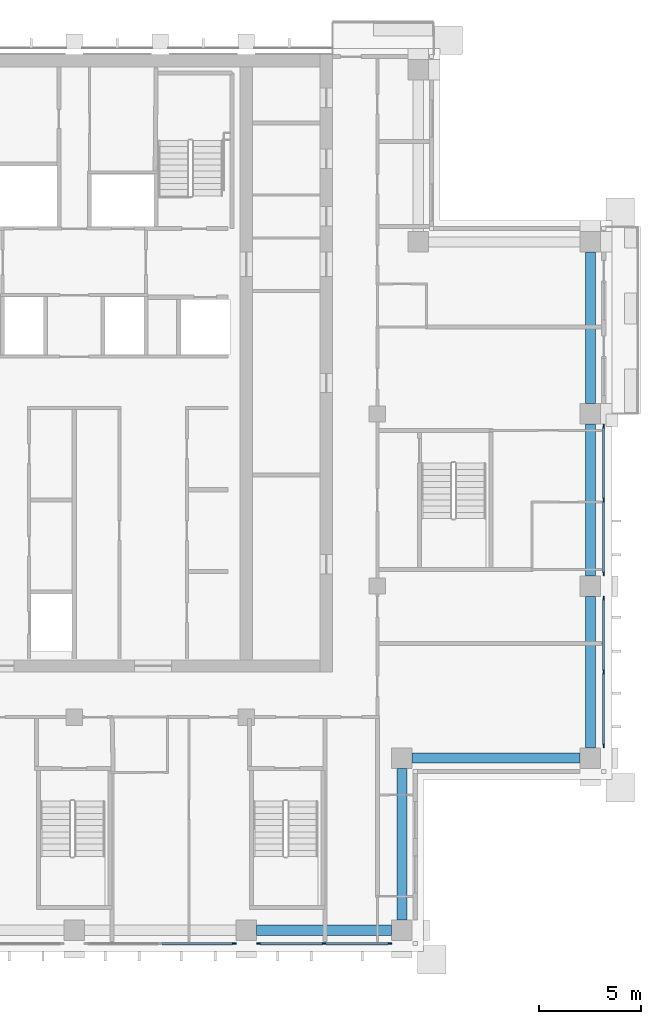
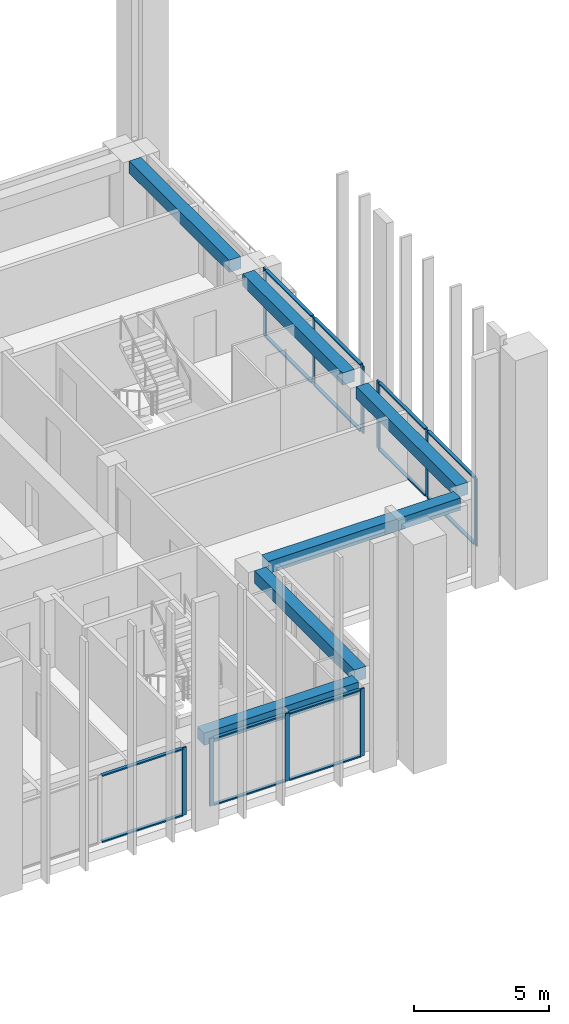
# One storey, part 5 of 17: 24 members, 6 beams, 4 elements without a shape of their own.
"""IFC4 building model written with IfcOpenShell, lengths in metres."""

from ifc_helpers import new_model, si_unit, direction, frame, origin, origin_2d, place, context, subcontext, project, spatial, rectangle, extrude, material, material_profile, profile_set, type_object, element, aggregate, save


model = new_model("IFC4")

# Units and contexts
model_context = context("Model", 3, precision=1e-05, world=origin(), true_north=direction((0.0, 1.0)))
body_context = subcontext(model_context, "Body", "Model", "MODEL_VIEW")
ifc_project = project(units=[si_unit("LENGTHUNIT", "METRE"), si_unit("AREAUNIT", "SQUARE_METRE"), si_unit("VOLUMEUNIT", "CUBIC_METRE"), si_unit("PLANEANGLEUNIT", "RADIAN"), si_unit("MASSUNIT", "GRAM", prefix="KILO")], contexts=[model_context])

# Site, building, storey
site_placement = place(None, origin())
site = spatial("IfcSite", under=ifc_project, at=site_placement, CompositionType="ELEMENT")
building_placement = place(site_placement, origin())
building = spatial("IfcBuilding", under=site, at=building_placement, Name="Vermilion Ogive Tower", CompositionType="ELEMENT")
storey_placement = place(building_placement, frame((0.0, 0.0, 175.550048828125)))
storey = spatial("IfcBuildingStorey", under=building, at=storey_placement, Name="L45", CompositionType="ELEMENT", Elevation=175.550048828125)

# Curtain wall, member
ifc_material_1 = material(Name="Low-iron laminated glazing in aluminium frame", Category="aluminium")
curtain_wall_type = type_object("IfcCurtainWallType", Name="Curtain wall CW7", PredefinedType="NOTDEFINED", material=ifc_material_1)
curtain_wall_1_placement = place(storey_placement, origin())
curtain_wall_1 = element("IfcCurtainWall", 1, at=curtain_wall_1_placement, inside=storey, type_object=curtain_wall_type, Name="Glazed skin S3", PredefinedType="NOTDEFINED")
ifc_material_2 = material(Name="Aluminium mullion", Category="aluminium")
ifc_material_profile_1 = material_profile(ifc_material_2, rectangle(XDim=0.06005859375, YDim=0.179931640625, at=origin_2d()), Name="AL 60x180")
ifc_profile_set_1 = profile_set([ifc_material_profile_1], Name="Aluminium mullion")
member_type_1 = type_object("IfcMemberType", Name="CW7 mullion 60x180", PredefinedType="MULLION", material=ifc_profile_set_1)
member_1_placement = place(storey_placement, frame((7.81005859375, -21.64990234375, 0.0), z_axis=(0.0, 0.0, 1.0), x_axis=(0.0, 1.0, 0.0)))
member_1 = element("IfcMember", 2, at=member_1_placement, type_object=member_type_1, Name="CW7-S3 mullion 3", PredefinedType="MULLION", context=body_context, shape_type="SweptSolid", body=[
    extrude(rectangle(XDim=0.06005859375, YDim=0.179931640625, at=origin_2d()), origin(), (0.0, 0.0, 1.0), 3.050048828125),
])

# Curtain wall, members
curtain_wall_2_placement = place(storey_placement, origin())
curtain_wall_2 = element("IfcCurtainWall", 3, at=curtain_wall_2_placement, inside=storey, type_object=curtain_wall_type, Name="Glazed skin S4", PredefinedType="NOTDEFINED")
member_2_placement = place(storey_placement, frame((8.989990234375, -21.64990234375, 0.0), z_axis=(0.0, 0.0, 1.0), x_axis=(0.0, 1.0, 0.0)))
member_2 = element("IfcMember", 4, at=member_2_placement, type_object=member_type_1, Name="CW7-S4 mullion 1", PredefinedType="MULLION", context=body_context, shape_type="SweptSolid", body=[
    extrude(rectangle(XDim=0.06005859375, YDim=0.179931640625, at=origin_2d()), origin(), (0.0, 0.0, 1.0), 3.050048828125),
])
member_3_placement = place(storey_placement, frame((12.199951171875, -21.64990234375, 0.0), z_axis=(0.0, 0.0, 1.0), x_axis=(0.0, 1.0, 0.0)))
member_3 = element("IfcMember", 5, at=member_3_placement, type_object=member_type_1, Name="CW7-S4 mullion 2", PredefinedType="MULLION", context=body_context, shape_type="SweptSolid", body=[
    extrude(rectangle(XDim=0.06005859375, YDim=0.179931640625, at=origin_2d()), origin(), (0.0, 0.0, 1.0), 3.050048828125),
])
member_4_placement = place(storey_placement, frame((15.409912109375, -21.64990234375, 0.0), z_axis=(0.0, 0.0, 1.0), x_axis=(0.0, 1.0, 0.0)))
member_4 = element("IfcMember", 6, at=member_4_placement, type_object=member_type_1, Name="CW7-S4 mullion 3", PredefinedType="MULLION", context=body_context, shape_type="SweptSolid", body=[
    extrude(rectangle(XDim=0.06005859375, YDim=0.179931640625, at=origin_2d()), origin(), (0.0, 0.0, 1.0), 3.050048828125),
])

curtain_wall_3_placement = place(storey_placement, origin())
curtain_wall_3 = element("IfcCurtainWall", 7, at=curtain_wall_3_placement, inside=storey, type_object=curtain_wall_type, Name="Glazed skin E1", PredefinedType="NOTDEFINED")
member_5_placement = place(storey_placement, frame((25.85009765625, -12.010009765625, 0.0), z_axis=(0.0, 0.0, 1.0), x_axis=(-1.0, 0.0, 0.0)))
member_5 = element("IfcMember", 8, at=member_5_placement, type_object=member_type_1, Name="CW7-E1 mullion 1", PredefinedType="MULLION", context=body_context, shape_type="SweptSolid", body=[
    extrude(rectangle(XDim=0.06005859375, YDim=0.179931640625, at=origin_2d()), origin(), (0.0, 0.0, 1.0), 3.050048828125),
])
member_6_placement = place(storey_placement, frame((25.85009765625, -8.39990234375, 0.0), z_axis=(0.0, 0.0, 1.0), x_axis=(-1.0, 0.0, 0.0)))
member_6 = element("IfcMember", 9, at=member_6_placement, type_object=member_type_1, Name="CW7-E1 mullion 2", PredefinedType="MULLION", context=body_context, shape_type="SweptSolid", body=[
    extrude(rectangle(XDim=0.06005859375, YDim=0.179931640625, at=origin_2d()), origin(), (0.0, 0.0, 1.0), 3.050048828125),
])
member_7_placement = place(storey_placement, frame((25.85009765625, -4.7900390625, 0.0), z_axis=(0.0, 0.0, 1.0), x_axis=(-1.0, 0.0, 0.0)))
member_7 = element("IfcMember", 10, at=member_7_placement, type_object=member_type_1, Name="CW7-E1 mullion 3", PredefinedType="MULLION", context=body_context, shape_type="SweptSolid", body=[
    extrude(rectangle(XDim=0.06005859375, YDim=0.179931640625, at=origin_2d()), origin(), (0.0, 0.0, 1.0), 3.050048828125),
])

curtain_wall_4_placement = place(storey_placement, origin())
curtain_wall_4 = element("IfcCurtainWall", 11, at=curtain_wall_4_placement, inside=storey, type_object=curtain_wall_type, Name="Glazed skin E2", PredefinedType="NOTDEFINED")
member_8_placement = place(storey_placement, frame((25.85009765625, -3.610107421875, 0.0), z_axis=(0.0, 0.0, 1.0), x_axis=(-1.0, 0.0, 0.0)))
member_8 = element("IfcMember", 12, at=member_8_placement, type_object=member_type_1, Name="CW7-E2 mullion 1", PredefinedType="MULLION", context=body_context, shape_type="SweptSolid", body=[
    extrude(rectangle(XDim=0.06005859375, YDim=0.179931640625, at=origin_2d()), origin(), (0.0, 0.0, 1.0), 3.050048828125),
])
member_9_placement = place(storey_placement, frame((25.85009765625, 0.0, 0.0), z_axis=(0.0, 0.0, 1.0), x_axis=(-1.0, 0.0, 0.0)))
member_9 = element("IfcMember", 13, at=member_9_placement, type_object=member_type_1, Name="CW7-E2 mullion 2", PredefinedType="MULLION", context=body_context, shape_type="SweptSolid", body=[
    extrude(rectangle(XDim=0.06005859375, YDim=0.179931640625, at=origin_2d()), origin(), (0.0, 0.0, 1.0), 3.050048828125),
])
member_10_placement = place(storey_placement, frame((25.85009765625, 3.610107421875, 0.0), z_axis=(0.0, 0.0, 1.0), x_axis=(-1.0, 0.0, 0.0)))
member_10 = element("IfcMember", 14, at=member_10_placement, type_object=member_type_1, Name="CW7-E2 mullion 3", PredefinedType="MULLION", context=body_context, shape_type="SweptSolid", body=[
    extrude(rectangle(XDim=0.06005859375, YDim=0.179931640625, at=origin_2d()), origin(), (0.0, 0.0, 1.0), 3.050048828125),
])

# Member
ifc_material_3 = material(Name="Aluminium transom", Category="aluminium")
ifc_material_profile_2 = material_profile(ifc_material_3, rectangle(XDim=0.139892578125, YDim=0.06005859375, at=origin_2d()), Name="AL 60x140")
ifc_profile_set_2 = profile_set([ifc_material_profile_2], Name="Aluminium transom")
member_type_2 = type_object("IfcMemberType", Name="CW7 transom 60x140", PredefinedType="USERDEFINED", material=ifc_profile_set_2)
member_11_placement = place(storey_placement, frame((4.2900390625, -21.64990234375, 0.030029296875), z_axis=(1.0, 0.0, 0.0), x_axis=(0.0, 1.0, 0.0)))
member_11 = element("IfcMember", 15, at=member_11_placement, type_object=member_type_2, Name="CW7-S3 transom 2.1", ObjectType="TRANSOM", PredefinedType="USERDEFINED", context=body_context, shape_type="SweptSolid", body=[
    extrude(rectangle(XDim=0.139892578125, YDim=0.06005859375, at=origin_2d()), origin(), (0.0, 0.0, 1.0), 3.429931640625),
])

member_12_placement = place(storey_placement, frame((4.2900390625, -21.64990234375, 3.02001953125), z_axis=(1.0, 0.0, 0.0), x_axis=(0.0, 1.0, 0.0)))
member_12 = element("IfcMember", 16, at=member_12_placement, type_object=member_type_2, Name="CW7-S3 transom 2.2", ObjectType="TRANSOM", PredefinedType="USERDEFINED", context=body_context, shape_type="SweptSolid", body=[
    extrude(rectangle(XDim=0.139892578125, YDim=0.06005859375, at=origin_2d()), origin(), (0.0, 0.0, 1.0), 3.429931640625),
])

aggregate(curtain_wall_1, [member_1, member_11, member_12])

member_13_placement = place(storey_placement, frame((9.080078125, -21.64990234375, 0.030029296875), z_axis=(1.0, 0.0, 0.0), x_axis=(0.0, 1.0, 0.0)))
member_13 = element("IfcMember", 17, at=member_13_placement, type_object=member_type_2, Name="CW7-S4 transom 1.1", ObjectType="TRANSOM", PredefinedType="USERDEFINED", context=body_context, shape_type="SweptSolid", body=[
    extrude(rectangle(XDim=0.139892578125, YDim=0.06005859375, at=origin_2d()), origin(), (0.0, 0.0, 1.0), 3.030029296875),
])

member_14_placement = place(storey_placement, frame((9.080078125, -21.64990234375, 3.02001953125), z_axis=(1.0, 0.0, 0.0), x_axis=(0.0, 1.0, 0.0)))
member_14 = element("IfcMember", 18, at=member_14_placement, type_object=member_type_2, Name="CW7-S4 transom 1.2", ObjectType="TRANSOM", PredefinedType="USERDEFINED", context=body_context, shape_type="SweptSolid", body=[
    extrude(rectangle(XDim=0.139892578125, YDim=0.06005859375, at=origin_2d()), origin(), (0.0, 0.0, 1.0), 3.030029296875),
])

member_15_placement = place(storey_placement, frame((12.2900390625, -21.64990234375, 0.030029296875), z_axis=(1.0, 0.0, 0.0), x_axis=(0.0, 1.0, 0.0)))
member_15 = element("IfcMember", 19, at=member_15_placement, type_object=member_type_2, Name="CW7-S4 transom 2.1", ObjectType="TRANSOM", PredefinedType="USERDEFINED", context=body_context, shape_type="SweptSolid", body=[
    extrude(rectangle(XDim=0.139892578125, YDim=0.06005859375, at=origin_2d()), origin(), (0.0, 0.0, 1.0), 3.030029296875),
])

member_16_placement = place(storey_placement, frame((12.2900390625, -21.64990234375, 3.02001953125), z_axis=(1.0, 0.0, 0.0), x_axis=(0.0, 1.0, 0.0)))
member_16 = element("IfcMember", 20, at=member_16_placement, type_object=member_type_2, Name="CW7-S4 transom 2.2", ObjectType="TRANSOM", PredefinedType="USERDEFINED", context=body_context, shape_type="SweptSolid", body=[
    extrude(rectangle(XDim=0.139892578125, YDim=0.06005859375, at=origin_2d()), origin(), (0.0, 0.0, 1.0), 3.030029296875),
])

aggregate(curtain_wall_2, [member_2, member_3, member_4, member_13, member_14, member_15, member_16])

member_17_placement = place(storey_placement, frame((25.85009765625, -11.919921875, 0.030029296875), z_axis=(0.0, 1.0, 0.0), x_axis=(-1.0, 0.0, 0.0)))
member_17 = element("IfcMember", 21, at=member_17_placement, type_object=member_type_2, Name="CW7-E1 transom 1.1", ObjectType="TRANSOM", PredefinedType="USERDEFINED", context=body_context, shape_type="SweptSolid", body=[
    extrude(rectangle(XDim=0.139892578125, YDim=0.06005859375, at=origin_2d()), origin(), (0.0, 0.0, 1.0), 3.429931640625),
])

member_18_placement = place(storey_placement, frame((25.85009765625, -11.919921875, 3.02001953125), z_axis=(0.0, 1.0, 0.0), x_axis=(-1.0, 0.0, 0.0)))
member_18 = element("IfcMember", 22, at=member_18_placement, type_object=member_type_2, Name="CW7-E1 transom 1.2", ObjectType="TRANSOM", PredefinedType="USERDEFINED", context=body_context, shape_type="SweptSolid", body=[
    extrude(rectangle(XDim=0.139892578125, YDim=0.06005859375, at=origin_2d()), origin(), (0.0, 0.0, 1.0), 3.429931640625),
])

member_19_placement = place(storey_placement, frame((25.85009765625, -8.31005859375, 0.030029296875), z_axis=(0.0, 1.0, 0.0), x_axis=(-1.0, 0.0, 0.0)))
member_19 = element("IfcMember", 23, at=member_19_placement, type_object=member_type_2, Name="CW7-E1 transom 2.1", ObjectType="TRANSOM", PredefinedType="USERDEFINED", context=body_context, shape_type="SweptSolid", body=[
    extrude(rectangle(XDim=0.139892578125, YDim=0.06005859375, at=origin_2d()), origin(), (0.0, 0.0, 1.0), 3.43017578125),
])

member_20_placement = place(storey_placement, frame((25.85009765625, -8.31005859375, 3.02001953125), z_axis=(0.0, 1.0, 0.0), x_axis=(-1.0, 0.0, 0.0)))
member_20 = element("IfcMember", 24, at=member_20_placement, type_object=member_type_2, Name="CW7-E1 transom 2.2", ObjectType="TRANSOM", PredefinedType="USERDEFINED", context=body_context, shape_type="SweptSolid", body=[
    extrude(rectangle(XDim=0.139892578125, YDim=0.06005859375, at=origin_2d()), origin(), (0.0, 0.0, 1.0), 3.43017578125),
])

aggregate(curtain_wall_3, [member_5, member_6, member_7, member_17, member_18, member_19, member_20])

member_21_placement = place(storey_placement, frame((25.85009765625, -3.52001953125, 0.030029296875), z_axis=(0.0, 1.0, 0.0), x_axis=(-1.0, 0.0, 0.0)))
member_21 = element("IfcMember", 25, at=member_21_placement, type_object=member_type_2, Name="CW7-E2 transom 1.1", ObjectType="TRANSOM", PredefinedType="USERDEFINED", context=body_context, shape_type="SweptSolid", body=[
    extrude(rectangle(XDim=0.139892578125, YDim=0.06005859375, at=origin_2d()), origin(), (0.0, 0.0, 1.0), 3.429931640625),
])

member_22_placement = place(storey_placement, frame((25.85009765625, -3.52001953125, 3.02001953125), z_axis=(0.0, 1.0, 0.0), x_axis=(-1.0, 0.0, 0.0)))
member_22 = element("IfcMember", 26, at=member_22_placement, type_object=member_type_2, Name="CW7-E2 transom 1.2", ObjectType="TRANSOM", PredefinedType="USERDEFINED", context=body_context, shape_type="SweptSolid", body=[
    extrude(rectangle(XDim=0.139892578125, YDim=0.06005859375, at=origin_2d()), origin(), (0.0, 0.0, 1.0), 3.429931640625),
])

member_23_placement = place(storey_placement, frame((25.85009765625, 0.090087890625, 0.030029296875), z_axis=(0.0, 1.0, 0.0), x_axis=(-1.0, 0.0, 0.0)))
member_23 = element("IfcMember", 27, at=member_23_placement, type_object=member_type_2, Name="CW7-E2 transom 2.1", ObjectType="TRANSOM", PredefinedType="USERDEFINED", context=body_context, shape_type="SweptSolid", body=[
    extrude(rectangle(XDim=0.139892578125, YDim=0.06005859375, at=origin_2d()), origin(), (0.0, 0.0, 1.0), 3.429931640625),
])

member_24_placement = place(storey_placement, frame((25.85009765625, 0.090087890625, 3.02001953125), z_axis=(0.0, 1.0, 0.0), x_axis=(-1.0, 0.0, 0.0)))
member_24 = element("IfcMember", 28, at=member_24_placement, type_object=member_type_2, Name="CW7-E2 transom 2.2", ObjectType="TRANSOM", PredefinedType="USERDEFINED", context=body_context, shape_type="SweptSolid", body=[
    extrude(rectangle(XDim=0.139892578125, YDim=0.06005859375, at=origin_2d()), origin(), (0.0, 0.0, 1.0), 3.429931640625),
])

aggregate(curtain_wall_4, [member_8, member_9, member_10, member_21, member_22, member_23, member_24])

# Beams
ifc_material_4 = material(Name="Concrete B45", Category="concrete")
ifc_material_profile_3 = material_profile(ifc_material_4, rectangle(XDim=0.5, YDim=0.550048828125, at=origin_2d()), Name="500 x 550")
ifc_profile_set_3 = profile_set([ifc_material_profile_3], Name="Concrete B45")
beam_type = type_object("IfcBeamType", Name="Edge beam 500 x 550 B45", PredefinedType="BEAM", material=ifc_profile_set_3)
beam_1_placement = place(storey_placement, frame((8.89990234375, -21.0, 2.77490234375), z_axis=(1.0, 0.0, 0.0), x_axis=(0.0, 1.0, 0.0)))
element("IfcBeam", 29, at=beam_1_placement, inside=storey, type_object=beam_type, Name="L45-EB-4", PredefinedType="BEAM", context=body_context, shape_type="SweptSolid", body=[
    extrude(rectangle(XDim=0.5, YDim=0.550048828125, at=origin_2d()), origin(), (0.0, 0.0, 1.0), 6.60009765625),
])
beam_2_placement = place(storey_placement, frame((16.0, -20.5, 2.77490234375), z_axis=(0.0, 1.0, 0.0), x_axis=(-1.0, 0.0, 0.0)))
element("IfcBeam", 30, at=beam_2_placement, inside=storey, type_object=beam_type, Name="L45-EB-5", PredefinedType="BEAM", context=body_context, shape_type="SweptSolid", body=[
    extrude(rectangle(XDim=0.5, YDim=0.550048828125, at=origin_2d()), origin(), (0.0, 0.0, 1.0), 7.39990234375),
])
beam_3_placement = place(storey_placement, frame((16.5, -12.60009765625, 2.77490234375), z_axis=(1.0, 0.0, 0.0), x_axis=(0.0, 1.0, 0.0)))
element("IfcBeam", 31, at=beam_3_placement, inside=storey, type_object=beam_type, Name="L45-EB-6", PredefinedType="BEAM", context=body_context, shape_type="SweptSolid", body=[
    extrude(rectangle(XDim=0.5, YDim=0.550048828125, at=origin_2d()), origin(), (0.0, 0.0, 1.0), 8.199951171875),
])
beam_4_placement = place(storey_placement, frame((25.199951171875, -12.10009765625, 2.77490234375), z_axis=(0.0, 1.0, 0.0), x_axis=(-1.0, 0.0, 0.0)))
element("IfcBeam", 32, at=beam_4_placement, inside=storey, type_object=beam_type, Name="L45-EB-7", PredefinedType="BEAM", context=body_context, shape_type="SweptSolid", body=[
    extrude(rectangle(XDim=0.5, YDim=0.550048828125, at=origin_2d()), origin(), (0.0, 0.0, 1.0), 7.400146484375),
])
beam_5_placement = place(storey_placement, frame((25.199951171875, -3.699951171875, 2.77490234375), z_axis=(0.0, 1.0, 0.0), x_axis=(-1.0, 0.0, 0.0)))
element("IfcBeam", 33, at=beam_5_placement, inside=storey, type_object=beam_type, Name="L45-EB-8", PredefinedType="BEAM", context=body_context, shape_type="SweptSolid", body=[
    extrude(rectangle(XDim=0.5, YDim=0.550048828125, at=origin_2d()), origin(), (0.0, 0.0, 1.0), 7.39990234375),
])
beam_6_placement = place(storey_placement, frame((25.199951171875, 4.699951171875, 2.77490234375), z_axis=(0.0, 1.0, 0.0), x_axis=(-1.0, 0.0, 0.0)))
element("IfcBeam", 34, at=beam_6_placement, inside=storey, type_object=beam_type, Name="L45-EB-9", PredefinedType="BEAM", context=body_context, shape_type="SweptSolid", body=[
    extrude(rectangle(XDim=0.5, YDim=0.550048828125, at=origin_2d()), origin(), (0.0, 0.0, 1.0), 7.400146484375),
])

save(model, "model.ifc")
